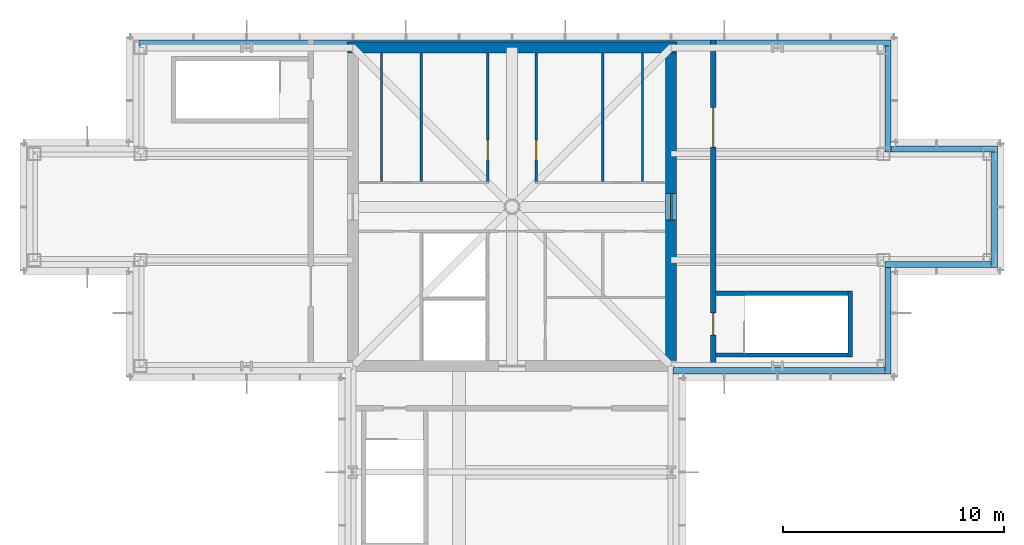
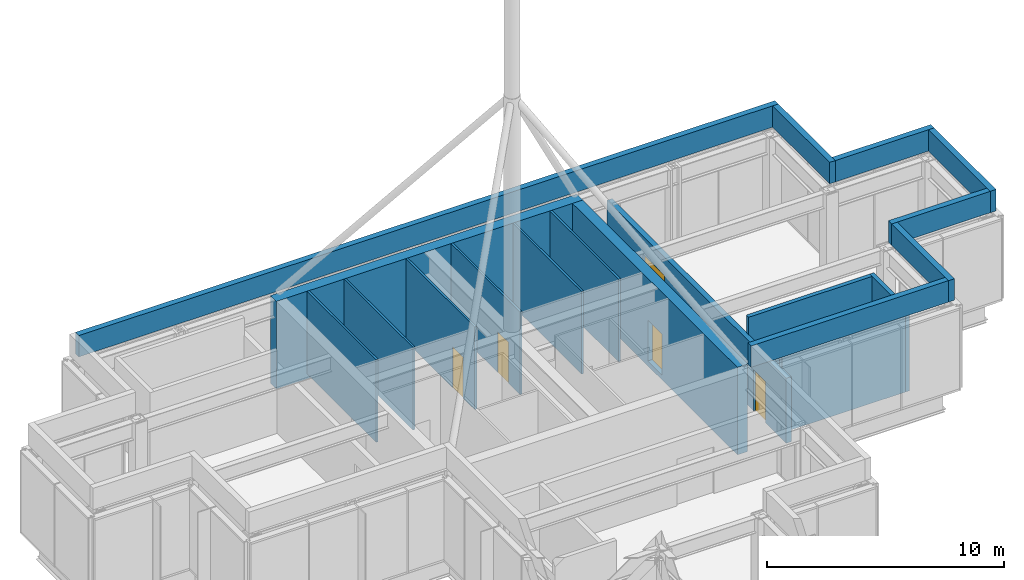
# One storey, part 9 of 10: 19 walls, 5 doors, 5 openings.
"""IFC4 building model written with IfcOpenShell, lengths in metres."""

from ifc_helpers import new_model, si_unit, direction, frame, frame_2d, origin, place, context, subcontext, project, spatial, rectangle, extrude, material, layer, layer_set, type_object, element, fill, save


model = new_model("IFC4")

# Units and contexts
model_context = context("Model", 3, precision=1e-05, world=origin(), true_north=direction((0.0, 1.0)))
body_context = subcontext(model_context, "Body", "Model", "MODEL_VIEW")
ifc_project = project(units=[si_unit("LENGTHUNIT", "METRE"), si_unit("AREAUNIT", "SQUARE_METRE"), si_unit("VOLUMEUNIT", "CUBIC_METRE"), si_unit("PLANEANGLEUNIT", "RADIAN"), si_unit("MASSUNIT", "GRAM", prefix="KILO")], contexts=[model_context])

# Site, building, storey
site_placement = place(None, origin())
site = spatial("IfcSite", under=ifc_project, at=site_placement, CompositionType="ELEMENT")
building_placement = place(site_placement, origin())
building = spatial("IfcBuilding", under=site, at=building_placement, Name="Kvirike Care Tower", CompositionType="ELEMENT")
storey_placement = place(building_placement, frame((0.0, 0.0, 248.0)))
storey = spatial("IfcBuildingStorey", under=building, at=storey_placement, Name="L68", CompositionType="ELEMENT", Elevation=248.0)

# Wall
ifc_material_1 = material(Name="Concrete C40/50", Category="concrete")
ifc_layer_1 = layer(ifc_material_1, 0.5)
ifc_layer_set_1 = layer_set([ifc_layer_1], Name="CORE WALL 500 C40-50")
wall_type_1 = type_object("IfcWallType", Name="CORE WALL 500 C40-50", PredefinedType="SHEAR", material=ifc_layer_set_1)
wall_1_placement = place(storey_placement, frame((29.050048828125, 43.199951171875, -0.25), z_axis=(0.0, 0.0, 1.0), x_axis=(-1.0, 0.0, 0.0)))
element("IfcWall", 1, at=wall_1_placement, inside=storey, type_object=wall_type_1, Name="Core wall N L68", PredefinedType="SHEAR", context=body_context, shape_type="SweptSolid", body=[
    extrude(rectangle(XDim=14.900146484375, YDim=0.5, at=frame_2d((7.4501953125, 0.0))), origin(), (0.0, 0.0, 1.0), 4.5),
])

# Wall, opening, door
wall_2_placement = place(storey_placement, frame((28.800048828125, 29.050048828125, -0.25), z_axis=(0.0, 0.0, 1.0), x_axis=(0.0, 1.0, 0.0)))
wall_2 = element("IfcWall", 2, at=wall_2_placement, inside=storey, type_object=wall_type_1, Name="Core wall E L68", PredefinedType="SHEAR", context=body_context, shape_type="SweptSolid", body=[
    extrude(rectangle(XDim=13.89990234375, YDim=0.5, at=frame_2d((6.949951171875, 0.0))), origin(), (0.0, 0.0, 1.0), 4.5),
])
opening_1_placement = place(wall_2_placement, frame((6.35009765625, 0.0, 0.25)))
opening_1 = element("IfcOpeningElement", 3, at=opening_1_placement, cuts=wall_2, Name="Opening 68-022", PredefinedType="OPENING", context=body_context, shape_type="SweptSolid", body=[
    extrude(rectangle(XDim=1.199951171875, YDim=2.10009765625, at=frame_2d((0.60009765625, 1.050048828125))), frame((0.0, 0.260498046875, 0.0), z_axis=(0.0, -1.0, 0.0), x_axis=(1.0, 0.0, 0.0)), (0.0, 0.0, 1.0), 0.52099609375),
])
ifc_material_2 = material(Name="Timber door set", Category="wood")
door_type_1 = type_object("IfcDoorType", Name="CORE DOOR 1200", OperationType="SINGLE_SWING_LEFT", PredefinedType="DOOR", material=ifc_material_2)
door_1_placement = place(opening_1_placement, origin())
door_1 = element("IfcDoor", 4, at=door_1_placement, inside=storey, type_object=door_type_1, Name="Core door E L68", OperationType="SINGLE_SWING_LEFT", OverallHeight=2.10009765625, OverallWidth=1.199951171875, PredefinedType="DOOR", context=body_context, shape_type="SweptSolid", body=[
    extrude(rectangle(XDim=1.199951171875, YDim=2.10009765625, at=frame_2d((0.60009765625, 1.050048828125))), frame((0.0, 0.02685546875, 0.0), z_axis=(0.0, -1.0, 0.0), x_axis=(1.0, 0.0, 0.0)), (0.0, 0.0, 1.0), 0.053955078125),
])
fill(opening_1, door_1)

# Walls
ifc_material_3 = material(Name="Bronze-clad reinforced concrete parapet", Category="concrete")
ifc_layer_2 = layer(ifc_material_3, 0.280029296875)
ifc_layer_set_2 = layer_set([ifc_layer_2], Name="PARAPET 280")
wall_type_2 = type_object("IfcWallType", Name="PARAPET 280", PredefinedType="PARAPET", material=ifc_layer_set_2)
wall_3_placement = place(storey_placement, frame((28.8701171875, 28.590087890625, 4.5), z_axis=(0.0, 0.0, 1.0), x_axis=(1.0, 0.0, 0.0)))
element("IfcWall", 5, at=wall_3_placement, inside=storey, type_object=wall_type_2, Name="Roof parapet 1", PredefinedType="PARAPET", context=body_context, shape_type="SweptSolid", body=[
    extrude(rectangle(XDim=9.599853515625, YDim=0.280029296875, at=frame_2d((4.7998046875, 0.0))), origin(), (0.0, 0.0, 1.0), 1.10009765625),
])
for number, where, z_axis, x_axis, name in (
    (6, (38.610107421875, 28.449951171875, 4.5), (0.0, 0.0, 1.0), (0.0, 1.0, 0.0), "Roof parapet 2"),
    (7, (38.469970703125, 33.389892578125, 4.5), (0.0, 0.0, 1.0), (1.0, 0.0, 0.0), "Roof parapet 3"),
):
    element("IfcWall", number, at=place(storey_placement, frame(where, z_axis=z_axis, x_axis=x_axis)), inside=storey, type_object=wall_type_2, Name=name, PredefinedType="PARAPET", context=body_context, shape_type="SweptSolid", body=[
        extrude(rectangle(XDim=4.800048828125, YDim=0.280029296875, at=frame_2d((2.39990234375, 0.0))), origin(), (0.0, 0.0, 1.0), 1.10009765625),
    ])
wall_4_placement = place(storey_placement, frame((43.409912109375, 33.25, 4.5), z_axis=(0.0, 0.0, 1.0), x_axis=(0.0, 1.0, 0.0)))
element("IfcWall", 8, at=wall_4_placement, inside=storey, type_object=wall_type_2, Name="Roof parapet 4", PredefinedType="PARAPET", context=body_context, shape_type="SweptSolid", body=[
    extrude(rectangle(XDim=5.219970703125, YDim=0.280029296875, at=frame_2d((2.60986328125, 0.0))), origin(), (0.0, 0.0, 1.0), 1.10009765625),
])
for number, where, z_axis, x_axis, name in (
    (9, (43.550048828125, 38.610107421875, 4.5), (0.0, 0.0, 1.0), (-1.0, 0.0, 0.0), "Roof parapet 5"),
    (10, (38.610107421875, 38.469970703125, 4.5), (0.0, 0.0, 1.0), (0.0, 1.0, 0.0), "Roof parapet 6"),
):
    element("IfcWall", number, at=place(storey_placement, frame(where, z_axis=z_axis, x_axis=x_axis)), inside=storey, type_object=wall_type_2, Name=name, PredefinedType="PARAPET", context=body_context, shape_type="SweptSolid", body=[
        extrude(rectangle(XDim=4.800048828125, YDim=0.280029296875, at=frame_2d((2.39990234375, 0.0))), origin(), (0.0, 0.0, 1.0), 1.10009765625),
    ])
wall_5_placement = place(storey_placement, frame((38.75, 43.409912109375, 4.5), z_axis=(0.0, 0.0, 1.0), x_axis=(-1.0, 0.0, 0.0)))
element("IfcWall", 11, at=wall_5_placement, inside=storey, type_object=wall_type_2, Name="Roof parapet 7", PredefinedType="PARAPET", context=body_context, shape_type="SweptSolid", body=[
    extrude(rectangle(XDim=34.02001953125, YDim=0.280029296875, at=frame_2d((17.010009765625, 0.0))), origin(), (0.0, 0.0, 1.0), 1.10009765625),
])

# Wall, openings, doors
ifc_material_4 = material(Name="Concrete blockwork", Category="masonry")
ifc_layer_3 = layer(ifc_material_4, 0.25)
ifc_layer_set_3 = layer_set([ifc_layer_3], Name="PLANT ROOM WALL 250")
wall_type_3 = type_object("IfcWallType", Name="PLANT ROOM WALL 250", PredefinedType="SOLIDWALL", material=ifc_layer_set_3)
wall_6_placement = place(storey_placement, frame((30.699951171875, 28.449951171875, 0.0), z_axis=(0.0, 0.0, 1.0), x_axis=(0.0, 1.0, 0.0)))
wall_6 = element("IfcWall", 12, at=wall_6_placement, inside=storey, type_object=wall_type_3, Name="Plant Room Wall 250 L68", PredefinedType="SOLIDWALL", context=body_context, shape_type="SweptSolid", body=[
    extrude(rectangle(XDim=15.10009765625, YDim=0.25, at=frame_2d((7.550048828125, 0.0))), origin(), (0.0, 0.0, 1.0), 3.340087890625),
])
opening_2_placement = place(wall_6_placement, frame((1.75, 0.0, 0.0)))
opening_2 = element("IfcOpeningElement", 13, at=opening_2_placement, cuts=wall_6, Name="Opening 68-005", PredefinedType="OPENING", context=body_context, shape_type="SweptSolid", body=[
    extrude(rectangle(XDim=1.0, YDim=2.10009765625, at=frame_2d((0.5, 1.050048828125))), frame((0.0, 0.135498046875, 0.0), z_axis=(0.0, -1.0, 0.0), x_axis=(1.0, 0.0, 0.0)), (0.0, 0.0, 1.0), 0.27099609375),
])
opening_3_placement = place(wall_6_placement, frame((10.25, 0.0, 0.0)))
opening_3 = element("IfcOpeningElement", 14, at=opening_3_placement, cuts=wall_6, Name="Opening 68-006", PredefinedType="OPENING", context=body_context, shape_type="SweptSolid", body=[
    extrude(rectangle(XDim=1.800048828125, YDim=2.39990234375, at=frame_2d((0.89990234375, 1.199951171875))), frame((0.0, 0.135498046875, 0.0), z_axis=(0.0, -1.0, 0.0), x_axis=(1.0, 0.0, 0.0)), (0.0, 0.0, 1.0), 0.27099609375),
])
ifc_material_5 = material(Name="Timber door set", Category="wood")
door_type_2 = type_object("IfcDoorType", Name="PLANT ROOM DOOR 1800", OperationType="DOUBLE_DOOR_SINGLE_SWING", PredefinedType="DOOR", material=ifc_material_5)
door_2_placement = place(opening_3_placement, frame((1.800048828125, 0.0, 0.0), z_axis=(0.0, 0.0, 1.0), x_axis=(-1.0, 0.0, 0.0)))
door_2 = element("IfcDoor", 15, at=door_2_placement, inside=storey, type_object=door_type_2, Name="Fire pump room door", OperationType="DOUBLE_DOOR_SINGLE_SWING", OverallHeight=2.39990234375, OverallWidth=1.800048828125, PredefinedType="DOOR", context=body_context, shape_type="SweptSolid", body=[
    extrude(rectangle(XDim=1.800048828125, YDim=2.39990234375, at=frame_2d((0.89990234375, 1.199951171875))), frame((0.0, 0.031982421875, 0.0), z_axis=(0.0, -1.0, 0.0), x_axis=(1.0, 0.0, 0.0)), (0.0, 0.0, 1.0), 0.06396484375),
])
fill(opening_3, door_2)
ifc_material_6 = material(Name="Timber door set", Category="wood")
door_type_3 = type_object("IfcDoorType", Name="STAIR DOOR 1000", OperationType="SINGLE_SWING_LEFT", PredefinedType="DOOR", material=ifc_material_6)
door_3_placement = place(opening_2_placement, frame((1.0, 0.0, 0.0), z_axis=(0.0, 0.0, 1.0), x_axis=(-1.0, 0.0, 0.0)))
door_3 = element("IfcDoor", 16, at=door_3_placement, inside=storey, type_object=door_type_3, Name="Stair 2 door", OperationType="SINGLE_SWING_RIGHT", OverallHeight=2.10009765625, OverallWidth=1.0, PredefinedType="DOOR", context=body_context, shape_type="SweptSolid", body=[
    extrude(rectangle(XDim=1.0, YDim=2.10009765625, at=frame_2d((0.5, 1.050048828125))), frame((0.0, 0.031982421875, 0.0), z_axis=(0.0, -1.0, 0.0), x_axis=(1.0, 0.0, 0.0)), (0.0, 0.0, 1.0), 0.06396484375),
])
fill(opening_2, door_3)

# Walls
ifc_material_7 = material(Name="Gypsum shaft wall system", Category="gypsum")
ifc_layer_4 = layer(ifc_material_7, 0.10009765625)
ifc_layer_set_4 = layer_set([ifc_layer_4], Name="SHAFT WALL 100")
wall_type_4 = type_object("IfcWallType", Name="SHAFT WALL 100", PredefinedType="SOLIDWALL", material=ifc_layer_set_4)
for number, where, z_axis, x_axis, name in (
    (17, (15.699951171875, 37.14990234375, 0.0), (0.0, 0.0, 1.0), (0.0, 1.0, 0.0), "Shaft Wall 100 L68"),
    (18, (27.5, 37.14990234375, 0.0), (0.0, 0.0, 1.0), (0.0, 1.0, 0.0), "Shaft Wall 100 L68"),
):
    element("IfcWall", number, at=place(storey_placement, frame(where, z_axis=z_axis, x_axis=x_axis)), inside=storey, type_object=wall_type_4, Name=name, PredefinedType="SOLIDWALL", context=body_context, shape_type="SweptSolid", body=[
        extrude(rectangle(XDim=5.800048828125, YDim=0.10009765625, at=frame_2d((2.89990234375, 0.0))), origin(), (0.0, 0.0, 1.0), 4.25),
    ])

# Wall, opening, door
wall_7_placement = place(storey_placement, frame((20.5, 37.14990234375, 0.0), z_axis=(0.0, 0.0, 1.0), x_axis=(0.0, 1.0, 0.0)))
wall_7 = element("IfcWall", 19, at=wall_7_placement, inside=storey, type_object=wall_type_4, Name="Shaft Wall 100 L68", PredefinedType="SOLIDWALL", context=body_context, shape_type="SweptSolid", body=[
    extrude(rectangle(XDim=5.800048828125, YDim=0.10009765625, at=frame_2d((2.89990234375, 0.0))), origin(), (0.0, 0.0, 1.0), 4.25),
])
opening_4_placement = place(wall_7_placement, frame((0.97509765625, 0.0, 0.0)))
opening_4 = element("IfcOpeningElement", 20, at=opening_4_placement, cuts=wall_7, Name="Opening 68-009", PredefinedType="OPENING", context=body_context, shape_type="SweptSolid", body=[
    extrude(rectangle(XDim=0.89990234375, YDim=2.10009765625, at=frame_2d((0.449951171875, 1.050048828125))), frame((0.0, 0.060546875, 0.0), z_axis=(0.0, -1.0, 0.0), x_axis=(1.0, 0.0, 0.0)), (0.0, 0.0, 1.0), 0.12109375),
])
ifc_material_8 = material(Name="Timber door set", Category="wood")
door_type_4 = type_object("IfcDoorType", Name="STORE DOOR 900", OperationType="SINGLE_SWING_LEFT", PredefinedType="DOOR", material=ifc_material_8)
door_4_placement = place(opening_4_placement, origin())
door_4 = element("IfcDoor", 21, at=door_4_placement, inside=storey, type_object=door_type_4, Name="Staff room door", OperationType="SINGLE_SWING_RIGHT", OverallHeight=2.10009765625, OverallWidth=0.89990234375, PredefinedType="DOOR", context=body_context, shape_type="SweptSolid", body=[
    extrude(rectangle(XDim=0.89990234375, YDim=2.10009765625, at=frame_2d((0.449951171875, 1.050048828125))), frame((0.0, 0.02685546875, 0.0), z_axis=(0.0, -1.0, 0.0), x_axis=(1.0, 0.0, 0.0)), (0.0, 0.0, 1.0), 0.053955078125),
])
fill(opening_4, door_4)

wall_8_placement = place(storey_placement, frame((22.699951171875, 37.14990234375, 0.0), z_axis=(0.0, 0.0, 1.0), x_axis=(0.0, 1.0, 0.0)))
wall_8 = element("IfcWall", 22, at=wall_8_placement, inside=storey, type_object=wall_type_4, Name="Shaft Wall 100 L68", PredefinedType="SOLIDWALL", context=body_context, shape_type="SweptSolid", body=[
    extrude(rectangle(XDim=5.800048828125, YDim=0.10009765625, at=frame_2d((2.89990234375, 0.0))), origin(), (0.0, 0.0, 1.0), 4.25),
])
opening_5_placement = place(wall_8_placement, frame((0.97509765625, 0.0, 0.0)))
opening_5 = element("IfcOpeningElement", 23, at=opening_5_placement, cuts=wall_8, Name="Opening 68-010", PredefinedType="OPENING", context=body_context, shape_type="SweptSolid", body=[
    extrude(rectangle(XDim=0.89990234375, YDim=2.10009765625, at=frame_2d((0.449951171875, 1.050048828125))), frame((0.0, 0.060546875, 0.0), z_axis=(0.0, -1.0, 0.0), x_axis=(1.0, 0.0, 0.0)), (0.0, 0.0, 1.0), 0.12109375),
])
door_5_placement = place(opening_5_placement, frame((0.89990234375, 0.0, 0.0), z_axis=(0.0, 0.0, 1.0), x_axis=(-1.0, 0.0, 0.0)))
door_5 = element("IfcDoor", 24, at=door_5_placement, inside=storey, type_object=door_type_4, Name="Records store door", OperationType="SINGLE_SWING_LEFT", OverallHeight=2.10009765625, OverallWidth=0.89990234375, PredefinedType="DOOR", context=body_context, shape_type="SweptSolid", body=[
    extrude(rectangle(XDim=0.89990234375, YDim=2.10009765625, at=frame_2d((0.449951171875, 1.050048828125))), frame((0.0, 0.02685546875, 0.0), z_axis=(0.0, -1.0, 0.0), x_axis=(1.0, 0.0, 0.0)), (0.0, 0.0, 1.0), 0.053955078125),
])
fill(opening_5, door_5)

# Walls
for number, where, z_axis, x_axis, name in (
    (25, (17.5, 37.14990234375, 0.0), (0.0, 0.0, 1.0), (0.0, 1.0, 0.0), "Shaft Wall 100 L68"),
    (26, (25.699951171875, 37.14990234375, 0.0), (0.0, 0.0, 1.0), (0.0, 1.0, 0.0), "Shaft Wall 100 L68"),
):
    element("IfcWall", number, at=place(storey_placement, frame(where, z_axis=z_axis, x_axis=x_axis)), inside=storey, type_object=wall_type_4, Name=name, PredefinedType="SOLIDWALL", context=body_context, shape_type="SweptSolid", body=[
        extrude(rectangle(XDim=5.800048828125, YDim=0.10009765625, at=frame_2d((2.89990234375, 0.0))), origin(), (0.0, 0.0, 1.0), 4.25),
    ])
ifc_material_9 = material(Name="Concrete C40/50", Category="concrete")
ifc_layer_5 = layer(ifc_material_9, 0.199951171875)
ifc_layer_set_5 = layer_set([ifc_layer_5], Name="STAIR WALL 200")
wall_type_5 = type_object("IfcWallType", Name="STAIR WALL 200", PredefinedType="SOLIDWALL", material=ifc_layer_set_5)
for number, where, z_axis, x_axis, name in (
    (27, (37.0, 29.300048828125, 0.0), (0.0, 0.0, 1.0), (-1.0, 0.0, 0.0), "Stair Wall 200 L68"),
    (28, (37.0, 32.10009765625, 0.0), (0.0, 0.0, 1.0), (-1.0, 0.0, 0.0), "Stair Wall 200 L68"),
):
    element("IfcWall", number, at=place(storey_placement, frame(where, z_axis=z_axis, x_axis=x_axis)), inside=storey, type_object=wall_type_5, Name=name, PredefinedType="SOLIDWALL", context=body_context, shape_type="SweptSolid", body=[
        extrude(rectangle(XDim=6.199951171875, YDim=0.199951171875, at=frame_2d((3.10009765625, 0.0))), origin(), (0.0, 0.0, 1.0), 4.25),
    ])
wall_9_placement = place(storey_placement, frame((36.89990234375, 29.199951171875, 0.0), z_axis=(0.0, 0.0, 1.0), x_axis=(0.0, 1.0, 0.0)))
element("IfcWall", 29, at=wall_9_placement, inside=storey, type_object=wall_type_5, Name="Stair Wall 200 L68", PredefinedType="SOLIDWALL", context=body_context, shape_type="SweptSolid", body=[
    extrude(rectangle(XDim=3.0, YDim=0.199951171875, at=frame_2d((1.5, 0.0))), origin(), (0.0, 0.0, 1.0), 4.25),
])

save(model, "model.ifc")
